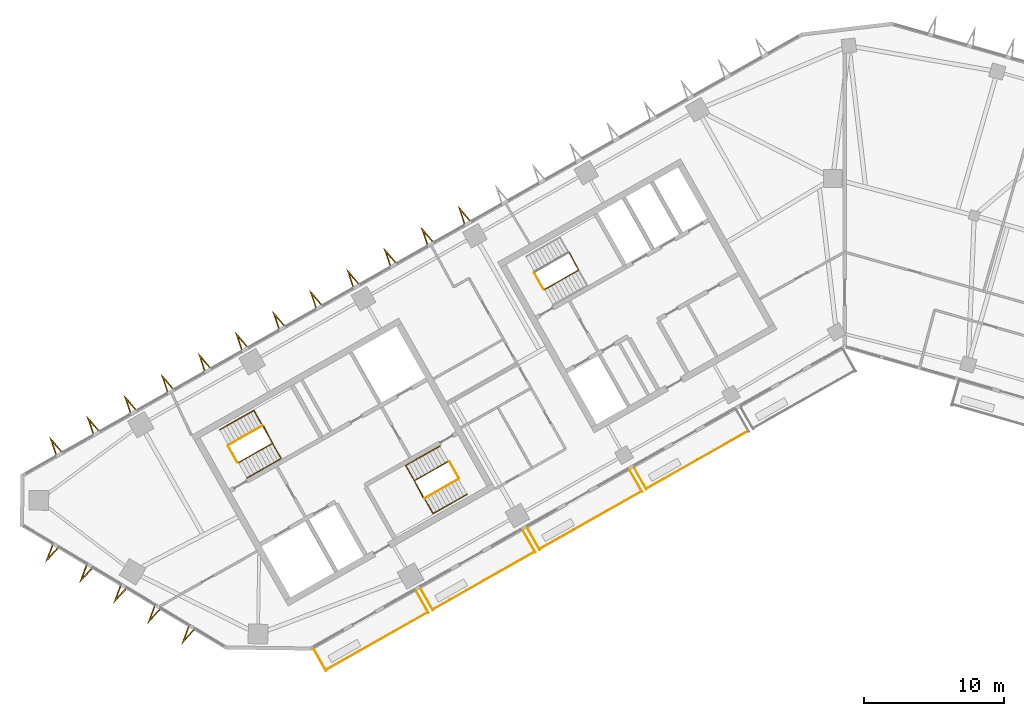
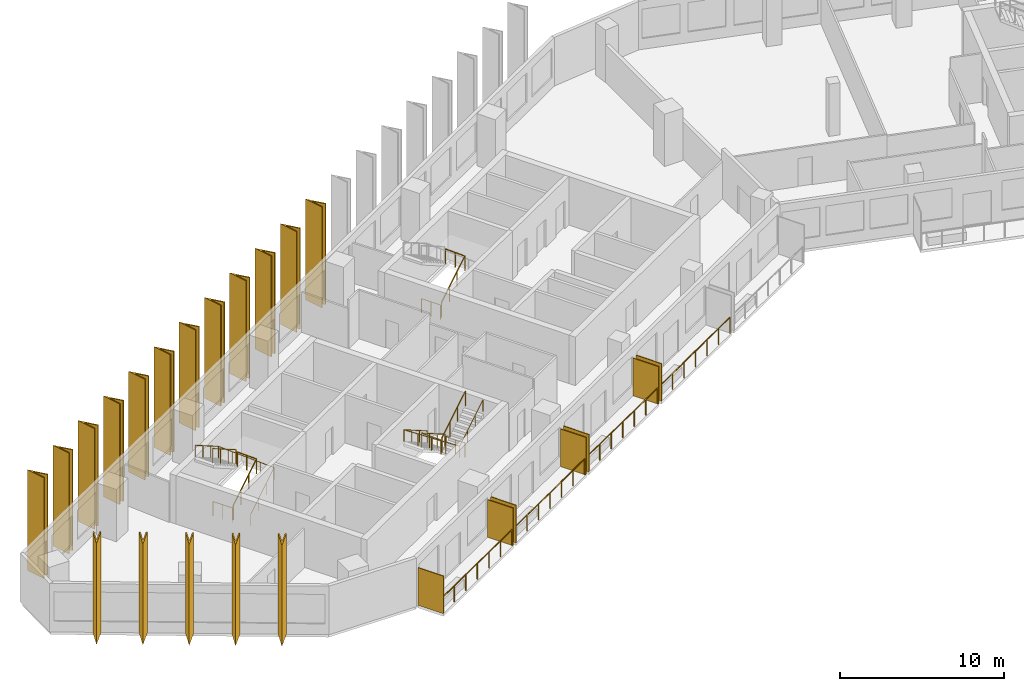
# One storey, part 10 of 12: 24 shading devices, 14 railings.
"""IFC4 building model written with IfcOpenShell, lengths in metres."""

import ifcopenshell
import ifcopenshell.guid

model = None  # the IFC model being written
_history = None  # IfcOwnerHistory: only IFC2X3 demands one
_inside = {}  # id of a spatial element -> (the spatial element, [elements in it])
_under = {}  # id of a project, library or spatial element -> (it, [spatial elements below it])
_declared = {}  # id of a project -> (the project, [libraries it declares])
_typed = {}  # id of a type object -> (the type object, [elements of that type])
_made_of = {}  # id of a material, layer set ... -> (it, [elements and type objects made of it])


def new_model(schema):
    """Start an empty IFC model of exactly this schema.

    Asked for "IFC4X3", IfcOpenShell would pick the latest addendum, in which some entities
    have other attributes; the version numbers below select the first issue.
    IFC2X3 requires an IfcOwnerHistory on every rooted entity: one is made here for all.
    """
    global model, _history
    if schema == "IFC4X3":
        model = ifcopenshell.file(schema_version=(4, 3, 0, 0))
    else:
        model = ifcopenshell.file(schema=schema)
    _inside.clear()
    _under.clear()
    _declared.clear()
    _typed.clear()
    _made_of.clear()
    _history = None
    if model.schema == "IFC2X3":
        org = make("IfcOrganization", Name="unknown")
        user = make(
            "IfcPersonAndOrganization",
            ThePerson=make("IfcPerson", FamilyName="unknown"),
            TheOrganization=org,
        )
        app = make(
            "IfcApplication",
            ApplicationDeveloper=org,
            Version="unknown",
            ApplicationFullName="unknown",
            ApplicationIdentifier="unknown",
        )
        _history = make(
            "IfcOwnerHistory",
            OwningUser=user,
            OwningApplication=app,
            ChangeAction="ADDED",
            CreationDate=0,
        )
    return model


def make(cls, **values):
    """One entity of the class cls with the attributes given. An attribute that is None is left unset."""
    return model.create_entity(
        cls, **{name: value for name, value in values.items() if value is not None}
    )


def rooted(cls, **values):
    """An entity with a GlobalId (a new one), such as an element, a storey or a relation."""
    return make(cls, GlobalId=ifcopenshell.guid.new(), OwnerHistory=_history, **values)


def si_unit(unit_type, name, prefix=None):
    """IfcSIUnit, for example si_unit("LENGTHUNIT", "METRE", prefix="MILLI")."""
    return make("IfcSIUnit", UnitType=unit_type, Prefix=prefix, Name=name)


def assignment(units):
    """IfcUnitAssignment: the units of a project."""
    return None if units is None else make("IfcUnitAssignment", Units=units)


def point(xyz):
    """IfcCartesianPoint."""
    return None if xyz is None else make("IfcCartesianPoint", Coordinates=xyz)


def direction(xyz):
    """IfcDirection."""
    return None if xyz is None else make("IfcDirection", DirectionRatios=xyz)


def frame(location, z_axis=None, x_axis=None):
    """IfcAxis2Placement3D, a coordinate frame: its origin and axes. An axis left out is left unset."""
    return make(
        "IfcAxis2Placement3D",
        Location=point(location),
        Axis=direction(z_axis),
        RefDirection=direction(x_axis),
    )


def frame_2d(location, x_axis=None):
    """IfcAxis2Placement2D, a coordinate frame in the plane: its origin and x axis."""
    return make(
        "IfcAxis2Placement2D", Location=point(location), RefDirection=direction(x_axis)
    )


def origin():
    """The frame at (0, 0, 0) with its axes left unset."""
    return frame((0.0, 0.0, 0.0))


def origin_2d():
    """The frame at (0, 0) in the plane with its x axis left unset."""
    return frame_2d((0.0, 0.0))


def place(relative_to, where):
    """IfcLocalPlacement: puts the frame where relative to a parent placement (None: the world)."""
    return make(
        "IfcLocalPlacement", PlacementRelTo=relative_to, RelativePlacement=where
    )


def context(
    kind, dimensions, precision=None, world=None, true_north=None, identifier=None
):
    """IfcGeometricRepresentationContext, for example the 3D "Model" context."""
    return make(
        "IfcGeometricRepresentationContext",
        ContextIdentifier=identifier,
        ContextType=kind,
        CoordinateSpaceDimension=dimensions,
        Precision=precision,
        WorldCoordinateSystem=world,
        TrueNorth=true_north,
    )


def subcontext(parent, identifier, kind, view, scale=None):
    """IfcGeometricRepresentationSubContext, for example "Body" below "Model"."""
    return make(
        "IfcGeometricRepresentationSubContext",
        ContextIdentifier=identifier,
        ContextType=kind,
        ParentContext=parent,
        TargetScale=scale,
        TargetView=view,
    )


def project(units=None, contexts=None):
    """IfcProject with its units and contexts."""
    return rooted(
        "IfcProject",
        Name="project",
        RepresentationContexts=contexts,
        UnitsInContext=assignment(units),
    )


def spatial(cls, under=None, at=None, **own):
    """A site, building, storey or space (cls), placed at a placement, below another one or the project."""
    s = rooted(cls, ObjectPlacement=at, **own)
    if under is not None:
        _under.setdefault(under.id(), (under, []))[1].append(s)
    return s


def polyline(points):
    """IfcPolyline through the points."""
    return make("IfcPolyline", Points=[point(p) for p in points])


def profile(cls, at=None, kind="AREA", **sizes):
    """A parametric profile (cls). Its sizes go by their IFC names, for example OverallWidth=200.0."""
    return make(cls, ProfileType=kind, Position=at, **sizes)


def rectangle(**sizes):
    """IfcRectangleProfileDef."""
    return profile("IfcRectangleProfileDef", **sizes)


def circle(**sizes):
    """IfcCircleProfileDef."""
    return profile("IfcCircleProfileDef", **sizes)


def outline(outer, holes=None, kind="AREA"):
    """IfcArbitraryClosedProfileDef: a profile drawn as a closed curve; with holes, ...WithVoids."""
    if holes is None:
        return make("IfcArbitraryClosedProfileDef", ProfileType=kind, OuterCurve=outer)
    return make(
        "IfcArbitraryProfileDefWithVoids",
        ProfileType=kind,
        OuterCurve=outer,
        InnerCurves=holes,
    )


def extrude(swept, where, along, depth):
    """IfcExtrudedAreaSolid: the profile swept, set in the frame where, extruded along a direction by depth."""
    return make(
        "IfcExtrudedAreaSolid",
        SweptArea=swept,
        Position=where,
        ExtrudedDirection=direction(along),
        Depth=depth,
    )


def shape(context_of_items, identifier, shape_type, items):
    """IfcShapeRepresentation: the items that make up one representation, for example the "Body"."""
    return make(
        "IfcShapeRepresentation",
        ContextOfItems=context_of_items,
        RepresentationIdentifier=identifier,
        RepresentationType=shape_type,
        Items=items,
    )


def material(Name=None, Category=None):
    """IfcMaterial."""
    return make("IfcMaterial", Name=Name, Category=Category)


def layer(
    of_material, thickness, ventilated=None, Name=None, Category=None, Priority=None
):
    """IfcMaterialLayer: one layer of a wall or slab, of a material (None: an air gap)."""
    return make(
        "IfcMaterialLayer",
        Material=of_material,
        LayerThickness=thickness,
        IsVentilated=ventilated,
        Name=Name,
        Category=Category,
        Priority=Priority,
    )


def layer_set(layers, Name=None):
    """IfcMaterialLayerSet."""
    return make("IfcMaterialLayerSet", MaterialLayers=layers, LayerSetName=Name)


def made_of(thing, what):
    """Note that an element or type object is made of a material, layer set ...; save() writes the relation."""
    if what is not None:
        _made_of.setdefault(what.id(), (what, []))[1].append(thing)
    return thing


def type_object(cls, material=None, **own):
    """A type object (cls), such as IfcWallType, which elements share."""
    return made_of(rooted(cls, **own), material)


def element(
    cls,
    number,
    at=None,
    inside=None,
    cuts=None,
    type_object=None,
    material=None,
    context=None,
    identifier="Body",
    shape_type=None,
    held_by="IfcProductDefinitionShape",
    body=None,
    shapes=None,
    **own,
):
    """One element of the class cls, such as IfcWall. Its Tag is "e" and its number.

    at: its placement. inside: the storey or other place that contains it. cuts: it is an
    opening in that element (IfcRelVoidsElement). A single representation is given by context,
    identifier, shape_type and body (its items); several are given by shapes. held_by: the class
    of the entity that holds the representations. save() writes the other relations.
    """
    e = rooted(cls, Tag="e%d" % number, ObjectPlacement=at, **own)
    if body is not None:
        shapes = [shape(context, identifier, shape_type, body)]
    if shapes is not None:
        e.Representation = make(held_by, Representations=shapes)
    if inside is not None:
        _inside.setdefault(inside.id(), (inside, []))[1].append(e)
    if cuts is not None:
        rooted(
            "IfcRelVoidsElement", RelatingBuildingElement=cuts, RelatedOpeningElement=e
        )
    if type_object is not None:
        _typed.setdefault(type_object.id(), (type_object, []))[1].append(e)
    return made_of(e, material)


def aggregate(whole, parts):
    """IfcRelAggregates: a whole, such as a stair, and the parts it consists of."""
    return rooted("IfcRelAggregates", RelatingObject=whole, RelatedObjects=parts)


def save(model, path):
    """Write the relations noted so far, then the file.

    IfcRelAggregates (storeys below a building ...), IfcRelContainedInSpatialStructure (elements
    in a storey), IfcRelDefinesByType, IfcRelAssociatesMaterial and IfcRelDeclares: one each for
    every whole, place, type object, material and project.
    """
    for whole, parts in _under.values():
        aggregate(whole, parts)
    for where, things in _inside.values():
        rooted(
            "IfcRelContainedInSpatialStructure",
            RelatedElements=things,
            RelatingStructure=where,
        )
    for kind, things in _typed.values():
        rooted("IfcRelDefinesByType", RelatedObjects=things, RelatingType=kind)
    for what, things in _made_of.values():
        rooted("IfcRelAssociatesMaterial", RelatedObjects=things, RelatingMaterial=what)
    for by, libraries in _declared.values():
        rooted("IfcRelDeclares", RelatingContext=by, RelatedDefinitions=libraries)
    model.write(path)


model = new_model("IFC4")

# Units and contexts
model_context = context("Model", 3, precision=1e-05, world=origin(), true_north=direction((0.0, 1.0)))
body_context = subcontext(model_context, "Body", "Model", "MODEL_VIEW")
ifc_project = project(units=[si_unit("LENGTHUNIT", "METRE"), si_unit("AREAUNIT", "SQUARE_METRE"), si_unit("VOLUMEUNIT", "CUBIC_METRE"), si_unit("PLANEANGLEUNIT", "RADIAN"), si_unit("MASSUNIT", "GRAM", prefix="KILO")], contexts=[model_context])

# Site, building, storey
site_placement = place(None, origin())
site = spatial("IfcSite", under=ifc_project, at=site_placement, CompositionType="ELEMENT")
building_placement = place(site_placement, origin())
building = spatial("IfcBuilding", under=site, at=building_placement, Name="Binnacle Exchange Tower", CompositionType="ELEMENT")
storey_placement = place(building_placement, frame((0.0, 0.0, 215.300048828125)))
storey = spatial("IfcBuildingStorey", under=building, at=storey_placement, Name="L47", CompositionType="ELEMENT", Elevation=215.300048828125)

# Railings
ifc_material_1 = material(Name="Bronze anodised aluminium frame", Category="aluminium")
railing_type_1 = type_object("IfcRailingType", Name="GUARD 1200", PredefinedType="GUARDRAIL", material=ifc_material_1)
railing_1_placement = place(storey_placement, frame((-37.006591796875, 24.94287109375, 0.0)))
element("IfcRailing", 1, at=railing_1_placement, inside=storey, type_object=railing_type_1, Name="Balcony guard G01-B00 L47", PredefinedType="GUARDRAIL", context=body_context, shape_type="SweptSolid", body=[
    extrude(circle(Radius=0.02392578125, at=origin_2d()), frame((0.0, 0.0, 1.17578125), z_axis=(0.870353267448, 0.492427852424, 0.0), x_axis=(-0.492427852424, 0.870353267448, 0.0)), (0.0, 0.0, 1.0), 8.334716796875),
    extrude(circle(Radius=0.02099609375, at=origin_2d()), origin(), (0.0, 0.0, 1.0), 1.15185546875),
    extrude(circle(Radius=0.02099609375, at=origin_2d()), frame((1.208984375, 0.68408203125, 0.0)), (0.0, 0.0, 1.0), 1.15185546875),
    extrude(circle(Radius=0.02099609375, at=origin_2d()), frame((2.41796875, 1.3681640625, 0.0)), (0.0, 0.0, 1.0), 1.15185546875),
    extrude(circle(Radius=0.02099609375, at=origin_2d()), frame((3.626953125, 2.05224609375, 0.0)), (0.0, 0.0, 1.0), 1.15185546875),
    extrude(circle(Radius=0.02099609375, at=origin_2d()), frame((4.836181640625, 2.736083984375, 0.0)), (0.0, 0.0, 1.0), 1.15185546875),
    extrude(circle(Radius=0.02099609375, at=origin_2d()), frame((6.045166015625, 3.420166015625, 0.0)), (0.0, 0.0, 1.0), 1.15185546875),
    extrude(circle(Radius=0.02099609375, at=origin_2d()), frame((7.254150390625, 4.104248046875, 0.0)), (0.0, 0.0, 1.0), 1.15185546875),
])
railing_2_placement = place(storey_placement, frame((-29.386962890625, 29.25390625, 0.0)))
element("IfcRailing", 2, at=railing_2_placement, inside=storey, type_object=railing_type_1, Name="Balcony guard G01-B01 L47", PredefinedType="GUARDRAIL", context=body_context, shape_type="SweptSolid", body=[
    extrude(circle(Radius=0.02392578125, at=origin_2d()), frame((0.0, 0.0, 1.17578125), z_axis=(0.870365821494, 0.492405662818, 0.0), x_axis=(-0.492405662818, 0.870365821494, 0.0)), (0.0, 0.0, 1.0), 8.334716796875),
    extrude(circle(Radius=0.02099609375, at=origin_2d()), origin(), (0.0, 0.0, 1.0), 1.15185546875),
    extrude(circle(Radius=0.02099609375, at=origin_2d()), frame((1.208984375, 0.68408203125, 0.0)), (0.0, 0.0, 1.0), 1.15185546875),
    extrude(circle(Radius=0.02099609375, at=origin_2d()), frame((2.41796875, 1.367919921875, 0.0)), (0.0, 0.0, 1.0), 1.15185546875),
    extrude(circle(Radius=0.02099609375, at=origin_2d()), frame((3.626953125, 2.052001953125, 0.0)), (0.0, 0.0, 1.0), 1.15185546875),
    extrude(circle(Radius=0.02099609375, at=origin_2d()), frame((4.836181640625, 2.736083984375, 0.0)), (0.0, 0.0, 1.0), 1.15185546875),
    extrude(circle(Radius=0.02099609375, at=origin_2d()), frame((6.045166015625, 3.419921875, 0.0)), (0.0, 0.0, 1.0), 1.15185546875),
    extrude(circle(Radius=0.02099609375, at=origin_2d()), frame((7.254150390625, 4.10400390625, 0.0)), (0.0, 0.0, 1.0), 1.15185546875),
])
for number, where, name in (
    (3, (-21.767333984375, 33.564697265625, 0.0), "Balcony guard G01-B02 L47"),
    (4, (-14.147705078125, 37.875732421875, 0.0), "Balcony guard G01-B03 L47"),
):
    element("IfcRailing", number, at=place(storey_placement, frame(where)), inside=storey, type_object=railing_type_1, Name=name, PredefinedType="GUARDRAIL", context=body_context, shape_type="SweptSolid", body=[
        extrude(circle(Radius=0.02392578125, at=origin_2d()), frame((0.0, 0.0, 1.17578125), z_axis=(0.8703461643, 0.49244040684, 0.0), x_axis=(-0.49244040684, 0.8703461643, 0.0)), (0.0, 0.0, 1.0), 8.33447265625),
        extrude(circle(Radius=0.02099609375, at=origin_2d()), origin(), (0.0, 0.0, 1.0), 1.15185546875),
        extrude(circle(Radius=0.02099609375, at=origin_2d()), frame((1.208984375, 0.68408203125, 0.0)), (0.0, 0.0, 1.0), 1.15185546875),
        extrude(circle(Radius=0.02099609375, at=origin_2d()), frame((2.41796875, 1.3681640625, 0.0)), (0.0, 0.0, 1.0), 1.15185546875),
        extrude(circle(Radius=0.02099609375, at=origin_2d()), frame((3.626953125, 2.05224609375, 0.0)), (0.0, 0.0, 1.0), 1.15185546875),
        extrude(circle(Radius=0.02099609375, at=origin_2d()), frame((4.8359375, 2.736083984375, 0.0)), (0.0, 0.0, 1.0), 1.15185546875),
        extrude(circle(Radius=0.02099609375, at=origin_2d()), frame((6.044921875, 3.420166015625, 0.0)), (0.0, 0.0, 1.0), 1.15185546875),
        extrude(circle(Radius=0.02099609375, at=origin_2d()), frame((7.25390625, 4.104248046875, 0.0)), (0.0, 0.0, 1.0), 1.15185546875),
    ])

# Shading devices
ifc_material_2 = material(Name="Bronze aluminium louvre", Category="aluminium")
ifc_layer = layer(ifc_material_2, 0.06005859375)
ifc_layer_set = layer_set([ifc_layer], Name="PLANTED SCREEN 60x2800")
shading_device_type_1 = type_object("IfcShadingDeviceType", Name="PLANTED SCREEN 60x2800", PredefinedType="USERDEFINED", material=ifc_layer_set)
for number, where, z_axis, x_axis, name in (
    (5, (-37.436279296875, 25.641845703125, 0.0), (0.0, 0.0, 1.0), (0.87035569594, 0.492423560103, 0.0), "Planted screen G01-B00a L47"),
    (6, (-30.130126953125, 29.775390625, 0.0), (0.0, 0.0, 1.0), (0.87035569594, 0.492423560103, 0.0), "Planted screen G01-B00b L47"),
    (7, (-29.81689453125, 29.95263671875, 0.0), (0.0, 0.0, 1.0), (0.87035569594, 0.492423560103, 0.0), "Planted screen G01-B01a L47"),
    (8, (-22.510498046875, 34.08642578125, 0.0), (0.0, 0.0, 1.0), (0.87035569594, 0.492423560103, 0.0), "Planted screen G01-B01b L47"),
    (9, (-22.197265625, 34.263671875, 0.0), (0.0, 0.0, 1.0), (0.87035569594, 0.492423560103, 0.0), "Planted screen G01-B02a L47"),
    (10, (-14.89111328125, 38.3974609375, 0.0), (0.0, 0.0, 1.0), (0.87035569594, 0.492423560103, 0.0), "Planted screen G01-B02b L47"),
    (11, (-14.57763671875, 38.57470703125, 0.0), (0.0, 0.0, 1.0), (0.87035569594, 0.492423560103, 0.0), "Planted screen G01-B03a L47"),
):
    element("IfcShadingDevice", number, at=place(storey_placement, frame(where, z_axis=z_axis, x_axis=x_axis)), inside=storey, type_object=shading_device_type_1, Name=name, ObjectType="SCREEN", PredefinedType="USERDEFINED", context=body_context, shape_type="SweptSolid", body=[
        extrude(rectangle(XDim=0.06005859375, YDim=1.800048828125, at=origin_2d()), origin(), (0.0, 0.0, 1.0), 2.800048828125),
    ])

# Railings
ifc_material_3 = material(Name="Steel guard rail", Category="steel")
railing_type_2 = type_object("IfcRailingType", Name="STAIR GUARD 1100", PredefinedType="GUARDRAIL", material=ifc_material_3)
railing_3_placement = place(storey_placement, frame((-43.26171875, 39.71728515625, 0.17724609375)))
element("IfcRailing", 12, at=railing_3_placement, inside=storey, type_object=railing_type_2, Name="L47 STA1 stair guard 1", PredefinedType="GUARDRAIL", context=body_context, shape_type="SweptSolid", body=[
    extrude(circle(Radius=0.02392578125, at=origin_2d()), frame((0.0, 0.0, 1.076171875), z_axis=(0.735358749054, 0.416079564682, 0.534906819964), x_axis=(-0.492453686477, 0.870338650569, 0.0)), (0.0, 0.0, 1.0), 3.31396484375),
    extrude(circle(Radius=0.02392578125, at=origin_2d()), frame((2.43701171875, 1.37890625, 2.8486328125), z_axis=(-0.461100321709, 0.887348011391, 0.0), x_axis=(-0.887348011391, -0.461100321709, 0.0)), (0.0, 0.0, 1.0), 1.40087890625),
    extrude(circle(Radius=0.02099609375, at=origin_2d()), origin(), (0.0, 0.0, 1.0), 1.052001953125),
    extrude(circle(Radius=0.02099609375, at=origin_2d()), frame((0.812255859375, 0.459716796875, 0.5908203125)), (0.0, 0.0, 1.0), 1.052001953125),
    extrude(circle(Radius=0.02099609375, at=origin_2d()), frame((1.624755859375, 0.919189453125, 1.181884765625)), (0.0, 0.0, 1.0), 1.052001953125),
    extrude(circle(Radius=0.02099609375, at=origin_2d()), frame((2.43701171875, 1.37890625, 1.772705078125)), (0.0, 0.0, 1.0), 1.052001953125),
    extrude(circle(Radius=0.02099609375, at=origin_2d()), frame((2.114013671875, 2.00048828125, 1.772705078125)), (0.0, 0.0, 1.0), 1.052001953125),
    extrude(circle(Radius=0.02099609375, at=origin_2d()), frame((1.791015625, 2.6220703125, 1.772705078125)), (0.0, 0.0, 1.0), 1.052001953125),
])
railing_4_placement = place(storey_placement, frame((-41.538818359375, 42.358154296875, 2.127197265625)))
element("IfcRailing", 13, at=railing_4_placement, inside=storey, type_object=railing_type_2, Name="L47 STA1 stair guard 2", PredefinedType="GUARDRAIL", context=body_context, shape_type="SweptSolid", body=[
    extrude(circle(Radius=0.02392578125, at=origin_2d()), frame((0.0, 0.0, 1.076171875), z_axis=(-0.735358749054, -0.416079564682, 0.534906819964), x_axis=(0.492453686477, -0.870338650569, 0.0)), (0.0, 0.0, 1.0), 3.31396484375),
    extrude(circle(Radius=0.02099609375, at=origin_2d()), origin(), (0.0, 0.0, 1.0), 1.052001953125),
    extrude(circle(Radius=0.02099609375, at=origin_2d()), frame((-0.812255859375, -0.459716796875, 0.5908203125)), (0.0, 0.0, 1.0), 1.052001953125),
    extrude(circle(Radius=0.02099609375, at=origin_2d()), frame((-1.624755859375, -0.919189453125, 1.181884765625)), (0.0, 0.0, 1.0), 1.052001953125),
    extrude(circle(Radius=0.02099609375, at=origin_2d()), frame((-2.43701171875, -1.37890625, 1.772705078125)), (0.0, 0.0, 1.0), 1.052001953125),
])
railing_5_placement = place(storey_placement, frame((-43.329833984375, 39.736328125, 0.0)))
element("IfcRailing", 14, at=railing_5_placement, inside=storey, type_object=railing_type_2, Name="L47 STA1 stair guard 3", PredefinedType="GUARDRAIL", context=body_context, shape_type="SweptSolid", body=[
    extrude(circle(Radius=0.02392578125, at=origin_2d()), frame((0.0, 0.0, 1.076171875), z_axis=(-0.4924922531, 0.870316827734, 0.0), x_axis=(-0.870316827734, -0.4924922531, 0.0)), (0.0, 0.0, 1.0), 1.349853515625),
    extrude(circle(Radius=0.02099609375, at=origin_2d()), origin(), (0.0, 0.0, 1.0), 1.052001953125),
    extrude(circle(Radius=0.02099609375, at=origin_2d()), frame((-0.33251953125, 0.58740234375, 0.0)), (0.0, 0.0, 1.0), 1.052001953125),
    extrude(circle(Radius=0.02099609375, at=origin_2d()), frame((-0.664794921875, 1.1748046875, 0.0)), (0.0, 0.0, 1.0), 1.052001953125),
])
railing_6_placement = place(storey_placement, frame((-28.265380859375, 39.814453125, 0.17724609375)))
element("IfcRailing", 15, at=railing_6_placement, inside=storey, type_object=railing_type_2, Name="L47 STA2 stair guard 1", PredefinedType="GUARDRAIL", context=body_context, shape_type="SweptSolid", body=[
    extrude(circle(Radius=0.02392578125, at=origin_2d()), frame((0.0, 0.0, 1.076171875), z_axis=(-0.735381288273, -0.416018647052, 0.534923215202), x_axis=(0.492387636113, -0.870376019777, 0.0)), (0.0, 0.0, 1.0), 3.31396484375),
    extrude(circle(Radius=0.02392578125, at=origin_2d()), frame((-2.43701171875, -1.378662109375, 2.8486328125), z_axis=(0.460963092712, -0.887419307406, 0.0), x_axis=(0.887419307406, 0.460963092712, 0.0)), (0.0, 0.0, 1.0), 1.40087890625),
    extrude(circle(Radius=0.02099609375, at=origin_2d()), origin(), (0.0, 0.0, 1.0), 1.052001953125),
    extrude(circle(Radius=0.02099609375, at=origin_2d()), frame((-0.812255859375, -0.45947265625, 0.5908203125)), (0.0, 0.0, 1.0), 1.052001953125),
    extrude(circle(Radius=0.02099609375, at=origin_2d()), frame((-1.624755859375, -0.919189453125, 1.181884765625)), (0.0, 0.0, 1.0), 1.052001953125),
    extrude(circle(Radius=0.02099609375, at=origin_2d()), frame((-2.43701171875, -1.378662109375, 1.772705078125)), (0.0, 0.0, 1.0), 1.052001953125),
    extrude(circle(Radius=0.02099609375, at=origin_2d()), frame((-2.1142578125, -2.000244140625, 1.772705078125)), (0.0, 0.0, 1.0), 1.052001953125),
    extrude(circle(Radius=0.02099609375, at=origin_2d()), frame((-1.791259765625, -2.621826171875, 1.772705078125)), (0.0, 0.0, 1.0), 1.052001953125),
])
railing_7_placement = place(storey_placement, frame((-29.988525390625, 37.173583984375, 2.127197265625)))
element("IfcRailing", 16, at=railing_7_placement, inside=storey, type_object=railing_type_2, Name="L47 STA2 stair guard 2", PredefinedType="GUARDRAIL", context=body_context, shape_type="SweptSolid", body=[
    extrude(circle(Radius=0.02392578125, at=origin_2d()), frame((0.0, 0.0, 1.076171875), z_axis=(0.735358749054, 0.416079564682, 0.534906819964), x_axis=(-0.492453686477, 0.870338650569, 0.0)), (0.0, 0.0, 1.0), 3.31396484375),
    extrude(circle(Radius=0.02099609375, at=origin_2d()), origin(), (0.0, 0.0, 1.0), 1.052001953125),
    extrude(circle(Radius=0.02099609375, at=origin_2d()), frame((0.812255859375, 0.459716796875, 0.5908203125)), (0.0, 0.0, 1.0), 1.052001953125),
    extrude(circle(Radius=0.02099609375, at=origin_2d()), frame((1.624755859375, 0.919189453125, 1.181884765625)), (0.0, 0.0, 1.0), 1.052001953125),
    extrude(circle(Radius=0.02099609375, at=origin_2d()), frame((2.43701171875, 1.37890625, 1.772705078125)), (0.0, 0.0, 1.0), 1.052001953125),
])
railing_8_placement = place(storey_placement, frame((-28.197265625, 39.795654296875, 0.0)))
element("IfcRailing", 17, at=railing_8_placement, inside=storey, type_object=railing_type_2, Name="L47 STA2 stair guard 3", PredefinedType="GUARDRAIL", context=body_context, shape_type="SweptSolid", body=[
    extrude(circle(Radius=0.02392578125, at=origin_2d()), frame((0.0, 0.0, 1.076171875), z_axis=(0.49241474071, -0.870360685654, 0.0), x_axis=(0.870360685654, 0.49241474071, 0.0)), (0.0, 0.0, 1.0), 1.35009765625),
    extrude(circle(Radius=0.02099609375, at=origin_2d()), origin(), (0.0, 0.0, 1.0), 1.052001953125),
    extrude(circle(Radius=0.02099609375, at=origin_2d()), frame((0.33251953125, -0.58740234375, 0.0)), (0.0, 0.0, 1.0), 1.052001953125),
    extrude(circle(Radius=0.02099609375, at=origin_2d()), frame((0.664794921875, -1.175048828125, 0.0)), (0.0, 0.0, 1.0), 1.052001953125),
])
railing_9_placement = place(storey_placement, frame((-21.423828125, 52.07275390625, 0.17724609375)))
element("IfcRailing", 18, at=railing_9_placement, inside=storey, type_object=railing_type_2, Name="L47 STC1 stair guard 1", PredefinedType="GUARDRAIL", context=body_context, shape_type="SweptSolid", body=[
    extrude(circle(Radius=0.02392578125, at=origin_2d()), frame((0.0, 0.0, 1.076171875), z_axis=(0.735381288273, 0.416018647052, 0.534923215202), x_axis=(-0.492387636113, 0.870376019777, 0.0)), (0.0, 0.0, 1.0), 3.31396484375),
    extrude(circle(Radius=0.02392578125, at=origin_2d()), frame((2.43701171875, 1.378662109375, 2.8486328125), z_axis=(-0.460963092712, 0.887419307406, 0.0), x_axis=(-0.887419307406, -0.460963092712, 0.0)), (0.0, 0.0, 1.0), 1.40087890625),
    extrude(circle(Radius=0.02099609375, at=origin_2d()), origin(), (0.0, 0.0, 1.0), 1.052001953125),
    extrude(circle(Radius=0.02099609375, at=origin_2d()), frame((0.812255859375, 0.45947265625, 0.5908203125)), (0.0, 0.0, 1.0), 1.052001953125),
    extrude(circle(Radius=0.02099609375, at=origin_2d()), frame((1.624755859375, 0.919189453125, 1.181884765625)), (0.0, 0.0, 1.0), 1.052001953125),
    extrude(circle(Radius=0.02099609375, at=origin_2d()), frame((2.43701171875, 1.378662109375, 1.772705078125)), (0.0, 0.0, 1.0), 1.052001953125),
    extrude(circle(Radius=0.02099609375, at=origin_2d()), frame((2.1142578125, 2.000244140625, 1.772705078125)), (0.0, 0.0, 1.0), 1.052001953125),
    extrude(circle(Radius=0.02099609375, at=origin_2d()), frame((1.791259765625, 2.621826171875, 1.772705078125)), (0.0, 0.0, 1.0), 1.052001953125),
])
railing_10_placement = place(storey_placement, frame((-21.491943359375, 52.091552734375, 0.0)))
element("IfcRailing", 19, at=railing_10_placement, inside=storey, type_object=railing_type_2, Name="L47 STC1 stair guard 3", PredefinedType="GUARDRAIL", context=body_context, shape_type="SweptSolid", body=[
    extrude(circle(Radius=0.02392578125, at=origin_2d()), frame((0.0, 0.0, 1.076171875), z_axis=(-0.49241474071, 0.870360685654, 0.0), x_axis=(-0.870360685654, -0.49241474071, 0.0)), (0.0, 0.0, 1.0), 1.35009765625),
    extrude(circle(Radius=0.02099609375, at=origin_2d()), origin(), (0.0, 0.0, 1.0), 1.052001953125),
    extrude(circle(Radius=0.02099609375, at=origin_2d()), frame((-0.33251953125, 0.58740234375, 0.0)), (0.0, 0.0, 1.0), 1.052001953125),
    extrude(circle(Radius=0.02099609375, at=origin_2d()), frame((-0.664794921875, 1.175048828125, 0.0)), (0.0, 0.0, 1.0), 1.052001953125),
])
ifc_material_4 = material(Name="Steel handrail", Category="steel")
railing_type_3 = type_object("IfcRailingType", Name="STAIR HANDRAIL 900", PredefinedType="HANDRAIL", material=ifc_material_4)
railing_11_placement = place(storey_placement, frame((-42.646240234375, 38.62939453125, 0.17724609375)))
element("IfcRailing", 20, at=railing_11_placement, inside=storey, type_object=railing_type_3, Name="L47 STA1 stair handrail 1", PredefinedType="HANDRAIL", context=body_context, shape_type="SweptSolid", body=[
    extrude(circle(Radius=0.02392578125, at=origin_2d()), frame((0.0, 0.0, 0.8759765625), z_axis=(0.735381288273, 0.416018647052, 0.534923215202), x_axis=(-0.492387636113, 0.870376019777, 0.0)), (0.0, 0.0, 1.0), 3.31396484375),
    extrude(circle(Radius=0.02392578125, at=origin_2d()), frame((2.43701171875, 1.378662109375, 2.6484375), z_axis=(-0.491918640963, 0.869486419234, 0.044826526087), x_axis=(-0.870361318571, -0.492413622004, 0.0)), (0.0, 0.0, 1.0), 3.9541015625),
    extrude(circle(Radius=0.02392578125, at=origin_2d()), frame((0.491943359375, 4.816650390625, 2.82568359375), z_axis=(-0.735381288273, -0.416018647052, 0.534923215202), x_axis=(0.492387636113, -0.870376019777, 0.0)), (0.0, 0.0, 1.0), 3.31396484375),
    extrude(circle(Radius=0.02099609375, at=origin_2d()), origin(), (0.0, 0.0, 1.0), 0.851806640625),
    extrude(circle(Radius=0.02099609375, at=origin_2d()), frame((0.812255859375, 0.45947265625, 0.5908203125)), (0.0, 0.0, 1.0), 0.851806640625),
    extrude(circle(Radius=0.02099609375, at=origin_2d()), frame((1.624755859375, 0.919189453125, 1.181884765625)), (0.0, 0.0, 1.0), 0.851806640625),
    extrude(circle(Radius=0.02099609375, at=origin_2d()), frame((2.43701171875, 1.378662109375, 1.772705078125)), (0.0, 0.0, 1.0), 0.851806640625),
    extrude(circle(Radius=0.02099609375, at=origin_2d()), frame((1.95068359375, 2.23828125, 1.81689453125)), (0.0, 0.0, 1.0), 0.851806640625),
    extrude(circle(Radius=0.02099609375, at=origin_2d()), frame((1.46435546875, 3.09765625, 1.861328125)), (0.0, 0.0, 1.0), 0.851806640625),
    extrude(circle(Radius=0.02099609375, at=origin_2d()), frame((0.978271484375, 3.95703125, 1.90576171875)), (0.0, 0.0, 1.0), 0.851806640625),
    extrude(circle(Radius=0.02099609375, at=origin_2d()), frame((0.491943359375, 4.816650390625, 1.949951171875)), (0.0, 0.0, 1.0), 0.851806640625),
    extrude(circle(Radius=0.02099609375, at=origin_2d()), frame((-0.3203125, 4.357177734375, 2.540771484375)), (0.0, 0.0, 1.0), 0.851806640625),
    extrude(circle(Radius=0.02099609375, at=origin_2d()), frame((-1.1328125, 3.8974609375, 3.1318359375)), (0.0, 0.0, 1.0), 0.851806640625),
    extrude(circle(Radius=0.02099609375, at=origin_2d()), frame((-1.945068359375, 3.43798828125, 3.72265625)), (0.0, 0.0, 1.0), 0.851806640625),
])
railing_12_placement = place(storey_placement, frame((-28.880859375, 40.90234375, 0.17724609375)))
element("IfcRailing", 21, at=railing_12_placement, inside=storey, type_object=railing_type_3, Name="L47 STA2 stair handrail 1", PredefinedType="HANDRAIL", context=body_context, shape_type="SweptSolid", body=[
    extrude(circle(Radius=0.02392578125, at=origin_2d()), frame((0.0, 0.0, 0.8759765625), z_axis=(-0.735381288273, -0.416018647052, 0.534923215202), x_axis=(0.492387636113, -0.870376019777, 0.0)), (0.0, 0.0, 1.0), 3.31396484375),
    extrude(circle(Radius=0.02392578125, at=origin_2d()), frame((-2.43701171875, -1.378662109375, 2.6484375), z_axis=(0.491918640963, -0.869486419234, 0.044826526087), x_axis=(0.870361318571, 0.492413622004, 0.0)), (0.0, 0.0, 1.0), 3.9541015625),
    extrude(circle(Radius=0.02392578125, at=origin_2d()), frame((-0.491943359375, -4.816650390625, 2.82568359375), z_axis=(0.735358749054, 0.416079564682, 0.534906819964), x_axis=(-0.492453686477, 0.870338650569, 0.0)), (0.0, 0.0, 1.0), 3.31396484375),
    extrude(circle(Radius=0.02099609375, at=origin_2d()), origin(), (0.0, 0.0, 1.0), 0.851806640625),
    extrude(circle(Radius=0.02099609375, at=origin_2d()), frame((-0.812255859375, -0.45947265625, 0.5908203125)), (0.0, 0.0, 1.0), 0.851806640625),
    extrude(circle(Radius=0.02099609375, at=origin_2d()), frame((-1.624755859375, -0.919189453125, 1.181884765625)), (0.0, 0.0, 1.0), 0.851806640625),
    extrude(circle(Radius=0.02099609375, at=origin_2d()), frame((-2.43701171875, -1.378662109375, 1.772705078125)), (0.0, 0.0, 1.0), 0.851806640625),
    extrude(circle(Radius=0.02099609375, at=origin_2d()), frame((-1.95068359375, -2.23828125, 1.81689453125)), (0.0, 0.0, 1.0), 0.851806640625),
    extrude(circle(Radius=0.02099609375, at=origin_2d()), frame((-1.46435546875, -3.09765625, 1.861328125)), (0.0, 0.0, 1.0), 0.851806640625),
    extrude(circle(Radius=0.02099609375, at=origin_2d()), frame((-0.978271484375, -3.95703125, 1.90576171875)), (0.0, 0.0, 1.0), 0.851806640625),
    extrude(circle(Radius=0.02099609375, at=origin_2d()), frame((-0.491943359375, -4.816650390625, 1.949951171875)), (0.0, 0.0, 1.0), 0.851806640625),
    extrude(circle(Radius=0.02099609375, at=origin_2d()), frame((0.3203125, -4.35693359375, 2.540771484375)), (0.0, 0.0, 1.0), 0.851806640625),
    extrude(circle(Radius=0.02099609375, at=origin_2d()), frame((1.1328125, -3.8974609375, 3.1318359375)), (0.0, 0.0, 1.0), 0.851806640625),
    extrude(circle(Radius=0.02099609375, at=origin_2d()), frame((1.945068359375, -3.437744140625, 3.72265625)), (0.0, 0.0, 1.0), 0.851806640625),
])

# Shading devices
ifc_material_5 = material(Name="Bronze aluminium cladding", Category="aluminium")
shading_device_type_2 = type_object("IfcShadingDeviceType", Name="V FIN 1300 DEEP x 7520 HIGH", PredefinedType="USERDEFINED", material=ifc_material_5)
shading_device_1_placement = place(storey_placement, origin())
element("IfcShadingDevice", 22, at=shading_device_1_placement, inside=storey, type_object=shading_device_type_2, Name="V fin FN-G08-09 L47", ObjectType="FIN", PredefinedType="USERDEFINED", context=body_context, shape_type="SweptSolid", body=[
    extrude(outline(polyline([(-26.72900390625, 57.02099609375), (-27.586669921875, 58.029541015625), (-27.1640625, 56.77490234375), (-27.09326171875, 56.81494140625), (-27.3779296875, 57.660888671875), (-26.7998046875, 56.98095703125), (-26.72900390625, 57.02099609375)])), origin(), (0.0, 0.0, 1.0), 7.52001953125),
])
shading_device_2_placement = place(storey_placement, origin())
element("IfcShadingDevice", 23, at=shading_device_2_placement, inside=storey, type_object=shading_device_type_2, Name="V fin FN-G08-10 L47", ObjectType="FIN", PredefinedType="USERDEFINED", context=body_context, shape_type="SweptSolid", body=[
    extrude(outline(polyline([(-29.377685546875, 55.5224609375), (-30.2353515625, 56.531005859375), (-29.812744140625, 55.2763671875), (-29.741943359375, 55.31640625), (-30.026611328125, 56.162109375), (-29.448486328125, 55.482421875), (-29.377685546875, 55.5224609375)])), origin(), (0.0, 0.0, 1.0), 7.52001953125),
])
shading_device_3_placement = place(storey_placement, origin())
element("IfcShadingDevice", 24, at=shading_device_3_placement, inside=storey, type_object=shading_device_type_2, Name="V fin FN-G08-11 L47", ObjectType="FIN", PredefinedType="USERDEFINED", context=body_context, shape_type="SweptSolid", body=[
    extrude(outline(polyline([(-32.0263671875, 54.02392578125), (-32.884033203125, 55.032470703125), (-32.46142578125, 53.77783203125), (-32.390625, 53.81787109375), (-32.67529296875, 54.663818359375), (-32.09716796875, 53.98388671875), (-32.0263671875, 54.02392578125)])), origin(), (0.0, 0.0, 1.0), 7.52001953125),
])
shading_device_4_placement = place(storey_placement, origin())
element("IfcShadingDevice", 25, at=shading_device_4_placement, inside=storey, type_object=shading_device_type_2, Name="V fin FN-G08-12 L47", ObjectType="FIN", PredefinedType="USERDEFINED", context=body_context, shape_type="SweptSolid", body=[
    extrude(outline(polyline([(-34.675048828125, 52.525390625), (-35.53271484375, 53.53369140625), (-35.110107421875, 52.279296875), (-35.039306640625, 52.3193359375), (-35.32421875, 53.1650390625), (-34.745849609375, 52.4853515625), (-34.675048828125, 52.525390625)])), origin(), (0.0, 0.0, 1.0), 7.52001953125),
])
shading_device_5_placement = place(storey_placement, origin())
element("IfcShadingDevice", 26, at=shading_device_5_placement, inside=storey, type_object=shading_device_type_2, Name="V fin FN-G08-13 L47", ObjectType="FIN", PredefinedType="USERDEFINED", context=body_context, shape_type="SweptSolid", body=[
    extrude(outline(polyline([(-37.32373046875, 51.02685546875), (-38.181640625, 52.03515625), (-37.759033203125, 50.780517578125), (-37.68798828125, 50.82080078125), (-37.972900390625, 51.66650390625), (-37.394775390625, 50.98681640625), (-37.32373046875, 51.02685546875)])), origin(), (0.0, 0.0, 1.0), 7.52001953125),
])
shading_device_6_placement = place(storey_placement, origin())
element("IfcShadingDevice", 27, at=shading_device_6_placement, inside=storey, type_object=shading_device_type_2, Name="V fin FN-G08-14 L47", ObjectType="FIN", PredefinedType="USERDEFINED", context=body_context, shape_type="SweptSolid", body=[
    extrude(outline(polyline([(-39.972412109375, 49.5283203125), (-40.830322265625, 50.53662109375), (-40.40771484375, 49.281982421875), (-40.3369140625, 49.322021484375), (-40.62158203125, 50.16796875), (-40.04345703125, 49.488037109375), (-39.972412109375, 49.5283203125)])), origin(), (0.0, 0.0, 1.0), 7.52001953125),
])
shading_device_7_placement = place(storey_placement, origin())
element("IfcShadingDevice", 28, at=shading_device_7_placement, inside=storey, type_object=shading_device_type_2, Name="V fin FN-G08-15 L47", ObjectType="FIN", PredefinedType="USERDEFINED", context=body_context, shape_type="SweptSolid", body=[
    extrude(outline(polyline([(-42.621337890625, 48.029541015625), (-43.47900390625, 49.0380859375), (-43.056396484375, 47.783447265625), (-42.985595703125, 47.823486328125), (-43.2705078125, 48.669189453125), (-42.692138671875, 47.989501953125), (-42.621337890625, 48.029541015625)])), origin(), (0.0, 0.0, 1.0), 7.52001953125),
])
shading_device_8_placement = place(storey_placement, origin())
element("IfcShadingDevice", 29, at=shading_device_8_placement, inside=storey, type_object=shading_device_type_2, Name="V fin FN-G08-16 L47", ObjectType="FIN", PredefinedType="USERDEFINED", context=body_context, shape_type="SweptSolid", body=[
    extrude(outline(polyline([(-45.27001953125, 46.531005859375), (-46.127685546875, 47.539306640625), (-45.705078125, 46.284912109375), (-45.63427734375, 46.324951171875), (-45.919189453125, 47.170654296875), (-45.3408203125, 46.490966796875), (-45.27001953125, 46.531005859375)])), origin(), (0.0, 0.0, 1.0), 7.52001953125),
])
shading_device_9_placement = place(storey_placement, origin())
element("IfcShadingDevice", 30, at=shading_device_9_placement, inside=storey, type_object=shading_device_type_2, Name="V fin FN-G08-17 L47", ObjectType="FIN", PredefinedType="USERDEFINED", context=body_context, shape_type="SweptSolid", body=[
    extrude(outline(polyline([(-47.918701171875, 45.032470703125), (-48.776611328125, 46.040771484375), (-48.35400390625, 44.7861328125), (-48.283203125, 44.826416015625), (-48.56787109375, 45.672119140625), (-47.98974609375, 44.9921875), (-47.918701171875, 45.032470703125)])), origin(), (0.0, 0.0, 1.0), 7.52001953125),
])
shading_device_10_placement = place(storey_placement, origin())
element("IfcShadingDevice", 31, at=shading_device_10_placement, inside=storey, type_object=shading_device_type_2, Name="V fin FN-G08-18 L47", ObjectType="FIN", PredefinedType="USERDEFINED", context=body_context, shape_type="SweptSolid", body=[
    extrude(outline(polyline([(-50.5673828125, 43.533935546875), (-51.42529296875, 44.542236328125), (-51.002685546875, 43.28759765625), (-50.931884765625, 43.327880859375), (-51.216552734375, 44.173583984375), (-50.638427734375, 43.493896484375), (-50.5673828125, 43.533935546875)])), origin(), (0.0, 0.0, 1.0), 7.52001953125),
])
shading_device_11_placement = place(storey_placement, origin())
element("IfcShadingDevice", 32, at=shading_device_11_placement, inside=storey, type_object=shading_device_type_2, Name="V fin FN-G08-19 L47", ObjectType="FIN", PredefinedType="USERDEFINED", context=body_context, shape_type="SweptSolid", body=[
    extrude(outline(polyline([(-53.21630859375, 42.035400390625), (-54.073974609375, 43.043701171875), (-53.6513671875, 41.7890625), (-53.58056640625, 41.8291015625), (-53.865234375, 42.675048828125), (-53.287109375, 41.9951171875), (-53.21630859375, 42.035400390625)])), origin(), (0.0, 0.0, 1.0), 7.52001953125),
])
shading_device_12_placement = place(storey_placement, origin())
element("IfcShadingDevice", 33, at=shading_device_12_placement, inside=storey, type_object=shading_device_type_2, Name="V fin FN-G08-20 L47", ObjectType="FIN", PredefinedType="USERDEFINED", context=body_context, shape_type="SweptSolid", body=[
    extrude(outline(polyline([(-55.864990234375, 40.53662109375), (-56.722900390625, 41.545166015625), (-56.30029296875, 40.29052734375), (-56.229248046875, 40.33056640625), (-56.51416015625, 41.176513671875), (-55.935791015625, 40.49658203125), (-55.864990234375, 40.53662109375)])), origin(), (0.0, 0.0, 1.0), 7.52001953125),
])
shading_device_13_placement = place(storey_placement, origin())
element("IfcShadingDevice", 34, at=shading_device_13_placement, inside=storey, type_object=shading_device_type_2, Name="V fin FN-G10-01 L47", ObjectType="FIN", PredefinedType="USERDEFINED", context=body_context, shape_type="SweptSolid", body=[
    extrude(outline(polyline([(-56.566162109375, 33.842529296875), (-57.021240234375, 32.599365234375), (-56.137451171875, 33.5849609375), (-56.207275390625, 33.626953125), (-56.80322265625, 32.96240234375), (-56.496337890625, 33.800537109375), (-56.566162109375, 33.842529296875)])), origin(), (0.0, 0.0, 1.0), 7.52001953125),
])
shading_device_14_placement = place(storey_placement, origin())
element("IfcShadingDevice", 35, at=shading_device_14_placement, inside=storey, type_object=shading_device_type_2, Name="V fin FN-G10-02 L47", ObjectType="FIN", PredefinedType="USERDEFINED", context=body_context, shape_type="SweptSolid", body=[
    extrude(outline(polyline([(-54.137451171875, 32.38330078125), (-54.592529296875, 31.14013671875), (-53.708740234375, 32.12548828125), (-53.778564453125, 32.16748046875), (-54.37451171875, 31.503173828125), (-54.067626953125, 32.34130859375), (-54.137451171875, 32.38330078125)])), origin(), (0.0, 0.0, 1.0), 7.52001953125),
])
shading_device_15_placement = place(storey_placement, origin())
element("IfcShadingDevice", 36, at=shading_device_15_placement, inside=storey, type_object=shading_device_type_2, Name="V fin FN-G10-03 L47", ObjectType="FIN", PredefinedType="USERDEFINED", context=body_context, shape_type="SweptSolid", body=[
    extrude(outline(polyline([(-51.708740234375, 30.923828125), (-52.1640625, 29.680908203125), (-51.2802734375, 30.666259765625), (-51.35009765625, 30.708251953125), (-51.94580078125, 30.0439453125), (-51.638916015625, 30.8818359375), (-51.708740234375, 30.923828125)])), origin(), (0.0, 0.0, 1.0), 7.52001953125),
])
shading_device_16_placement = place(storey_placement, origin())
element("IfcShadingDevice", 37, at=shading_device_16_placement, inside=storey, type_object=shading_device_type_2, Name="V fin FN-G10-04 L47", ObjectType="FIN", PredefinedType="USERDEFINED", context=body_context, shape_type="SweptSolid", body=[
    extrude(outline(polyline([(-49.280029296875, 29.464599609375), (-49.7353515625, 28.2216796875), (-48.8515625, 29.20703125), (-48.92138671875, 29.2490234375), (-49.51708984375, 28.584716796875), (-49.210205078125, 29.422607421875), (-49.280029296875, 29.464599609375)])), origin(), (0.0, 0.0, 1.0), 7.52001953125),
])
shading_device_17_placement = place(storey_placement, origin())
element("IfcShadingDevice", 38, at=shading_device_17_placement, inside=storey, type_object=shading_device_type_2, Name="V fin FN-G10-05 L47", ObjectType="FIN", PredefinedType="USERDEFINED", context=body_context, shape_type="SweptSolid", body=[
    extrude(outline(polyline([(-46.8515625, 28.00537109375), (-47.306640625, 26.76220703125), (-46.4228515625, 27.747802734375), (-46.49267578125, 27.789794921875), (-47.088623046875, 27.12548828125), (-46.78173828125, 27.96337890625), (-46.8515625, 28.00537109375)])), origin(), (0.0, 0.0, 1.0), 7.52001953125),
])

save(model, "model.ifc")
